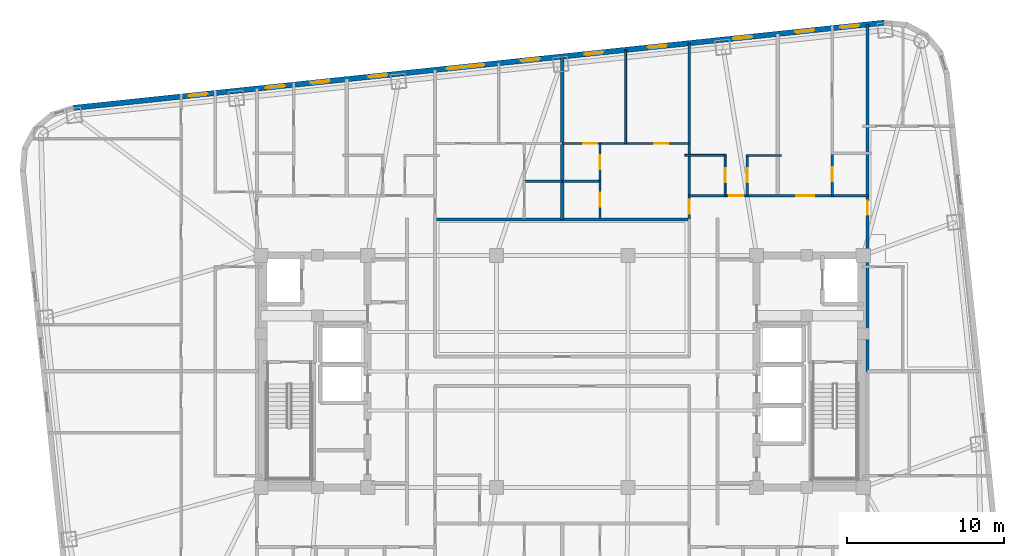
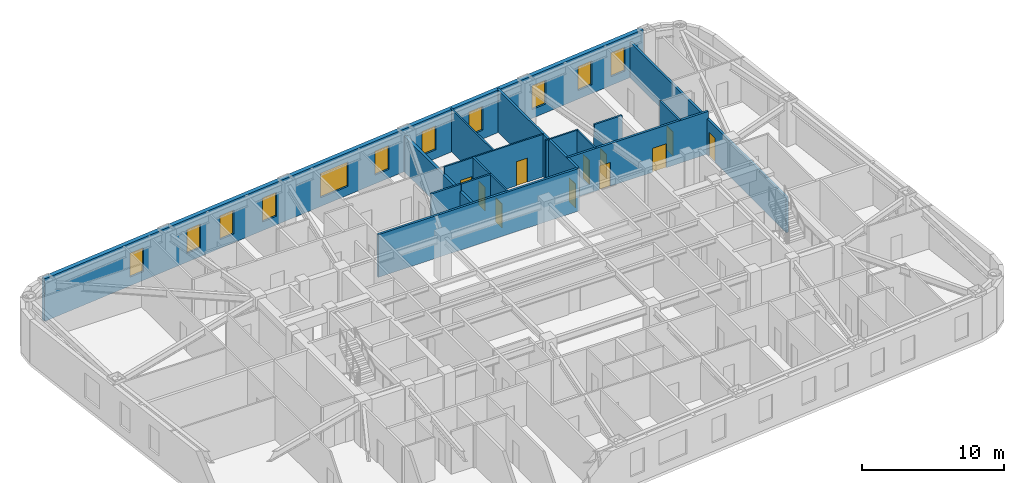
# One storey, part 8 of 11: 17 walls, 11 doors, 11 windows, 22 openings.
"""IFC4 building model written with IfcOpenShell, lengths in metres."""

from ifc_helpers import new_model, si_unit, direction, frame, frame_2d, origin, place, context, subcontext, project, spatial, rectangle, extrude, material, layer, layer_set, type_object, element, fill, save


model = new_model("IFC4")

# Units and contexts
model_context = context("Model", 3, precision=1e-05, world=origin(), true_north=direction((0.0, 1.0)))
body_context = subcontext(model_context, "Body", "Model", "MODEL_VIEW")
ifc_project = project(units=[si_unit("LENGTHUNIT", "METRE"), si_unit("AREAUNIT", "SQUARE_METRE"), si_unit("VOLUMEUNIT", "CUBIC_METRE"), si_unit("PLANEANGLEUNIT", "RADIAN"), si_unit("MASSUNIT", "GRAM", prefix="KILO")], contexts=[model_context])

# Site, building, storey
site_placement = place(None, origin())
site = spatial("IfcSite", under=ifc_project, at=site_placement, CompositionType="ELEMENT")
building_placement = place(site_placement, origin())
building = spatial("IfcBuilding", under=site, at=building_placement, Name="Voryun Gate Residences", CompositionType="ELEMENT")
storey_placement = place(building_placement, frame((0.0, 0.0, 183.300048828125)))
storey = spatial("IfcBuildingStorey", under=building, at=storey_placement, Name="L45", CompositionType="ELEMENT", Elevation=183.300048828125)

# Wall
ifc_material_1 = material(Name="Gypsum acoustic fireboard")
ifc_layer_1 = layer(ifc_material_1, 0.179931640625, Name="W_CORR_RATED_180")
ifc_layer_set_1 = layer_set([ifc_layer_1], Name="Gypsum acoustic fireboard")
wall_type_1 = type_object("IfcWallType", Name="W_CORR_RATED_180", PredefinedType="PARTITIONING", material=ifc_layer_set_1)
wall_1_placement = place(storey_placement, frame((-8.14990234375, 9.68994140625, 0.0), z_axis=(0.0, 0.0, 1.0), x_axis=(1.0, 0.0, 0.0)))
element("IfcWall", 1, at=wall_1_placement, inside=storey, type_object=wall_type_1, Name="Partition wall WP-L45-Z2N", PredefinedType="PARTITIONING", context=body_context, shape_type="SweptSolid", body=[
    extrude(rectangle(XDim=16.2998046875, YDim=0.179931640625, at=frame_2d((8.14990234375, 0.0))), origin(), (0.0, 0.0, 1.0), 3.64990234375),
])

# Wall, openings, doors
wall_2_placement = place(storey_placement, frame((8.080078125, 11.199951171875, 0.0), z_axis=(0.0, 0.0, 1.0), x_axis=(1.0, 0.0, 0.0)))
wall_2 = element("IfcWall", 2, at=wall_2_placement, inside=storey, type_object=wall_type_1, Name="Partition wall WP-L45-NCORR-E", PredefinedType="PARTITIONING", context=body_context, shape_type="SweptSolid", body=[
    extrude(rectangle(XDim=11.419921875, YDim=0.179931640625, at=frame_2d((5.7099609375, 0.0))), origin(), (0.0, 0.0, 1.0), 3.64990234375),
])
opening_1_placement = place(wall_2_placement, frame((2.5625, 0.0, 0.0)))
opening_1 = element("IfcOpeningElement", 3, at=opening_1_placement, cuts=wall_2, Name="Opening D-INT-2", PredefinedType="OPENING", context=body_context, shape_type="SweptSolid", body=[
    extrude(rectangle(XDim=0.89990234375, YDim=2.050048828125, at=frame_2d((0.449951171875, 1.02490234375))), frame((0.0, 0.099853515625, 0.0), z_axis=(0.0, -1.0, 0.0), x_axis=(1.0, 0.0, 0.0)), (0.0, 0.0, 1.0), 0.199951171875),
])
opening_2_placement = place(wall_2_placement, frame((6.8525390625, 0.0, 0.0)))
opening_2 = element("IfcOpeningElement", 4, at=opening_2_placement, cuts=wall_2, Name="Opening D-UNIT-1", PredefinedType="OPENING", context=body_context, shape_type="SweptSolid", body=[
    extrude(rectangle(XDim=1.14990234375, YDim=2.050048828125, at=frame_2d((0.574951171875, 1.02490234375))), frame((0.0, 0.099853515625, 0.0), z_axis=(0.0, -1.0, 0.0), x_axis=(1.0, 0.0, 0.0)), (0.0, 0.0, 1.0), 0.199951171875),
])
ifc_material_2 = material(Name="Architectural oak veneer")
door_type_1 = type_object("IfcDoorType", Name="DR_INT_BATH_900", OperationType="NOTDEFINED", PredefinedType="DOOR", material=ifc_material_2)
door_1_placement = place(opening_1_placement, origin())
door_1 = element("IfcDoor", 5, at=door_1_placement, inside=storey, type_object=door_type_1, Name="Door DR-L45-NENT-4", OperationType="SINGLE_SWING_RIGHT", OverallHeight=2.050048828125, OverallWidth=0.89990234375, PredefinedType="DOOR", context=body_context, shape_type="SweptSolid", body=[
    extrude(rectangle(XDim=0.89990234375, YDim=2.050048828125, at=frame_2d((0.449951171875, 1.02490234375))), frame((0.0, 0.02490234375, 0.0), z_axis=(0.0, -1.0, 0.0), x_axis=(1.0, 0.0, 0.0)), (0.0, 0.0, 1.0), 0.050048828125),
])
fill(opening_1, door_1)
ifc_material_3 = material(Name="Armoured timber-clad fire door", Category="wood")
door_type_2 = type_object("IfcDoorType", Name="DR_UNIT_ENTRY_1150", OperationType="NOTDEFINED", PredefinedType="DOOR", material=ifc_material_3)
door_2_placement = place(opening_2_placement, origin())
door_2 = element("IfcDoor", 6, at=door_2_placement, inside=storey, type_object=door_type_2, Name="Door DR-L45-NENT-5", OperationType="SINGLE_SWING_LEFT", OverallHeight=2.050048828125, OverallWidth=1.14990234375, PredefinedType="DOOR", context=body_context, shape_type="SweptSolid", body=[
    extrude(rectangle(XDim=1.14990234375, YDim=2.050048828125, at=frame_2d((0.574951171875, 1.02490234375))), frame((0.0, 0.02490234375, 0.0), z_axis=(0.0, -1.0, 0.0), x_axis=(1.0, 0.0, 0.0)), (0.0, 0.0, 1.0), 0.050048828125),
])
fill(opening_2, door_2)

# Wall, opening, door
wall_3_placement = place(storey_placement, frame((8.10009765625, 9.68994140625, 0.0), z_axis=(0.0, 0.0, 1.0), x_axis=(0.0, 1.0, 0.0)))
wall_3 = element("IfcWall", 7, at=wall_3_placement, inside=storey, type_object=wall_type_1, Name="Partition wall WP-L45-NZV-2", PredefinedType="PARTITIONING", context=body_context, shape_type="SweptSolid", body=[
    extrude(rectangle(XDim=11.2392578125, YDim=0.179931640625, at=frame_2d((5.61962890625, 0.0))), origin(), (0.0, 0.0, 1.0), 3.64990234375),
])
opening_3_placement = place(wall_3_placement, frame((0.35009765625, 0.0, 0.0)))
opening_3 = element("IfcOpeningElement", 8, at=opening_3_placement, cuts=wall_3, Name="Opening D-INT-2", PredefinedType="OPENING", context=body_context, shape_type="SweptSolid", body=[
    extrude(rectangle(XDim=0.89990234375, YDim=2.050048828125, at=frame_2d((0.449951171875, 1.02490234375))), frame((0.0, 0.099853515625, 0.0), z_axis=(0.0, -1.0, 0.0), x_axis=(1.0, 0.0, 0.0)), (0.0, 0.0, 1.0), 0.199951171875),
])
door_3_placement = place(opening_3_placement, origin())
door_3 = element("IfcDoor", 9, at=door_3_placement, inside=storey, type_object=door_type_1, Name="Door DR-L45-NZENT-2", OperationType="SINGLE_SWING_RIGHT", OverallHeight=2.050048828125, OverallWidth=0.89990234375, PredefinedType="DOOR", context=body_context, shape_type="SweptSolid", body=[
    extrude(rectangle(XDim=0.89990234375, YDim=2.050048828125, at=frame_2d((0.449951171875, 1.02490234375))), frame((0.0, 0.02490234375, 0.0), z_axis=(0.0, -1.0, 0.0), x_axis=(1.0, 0.0, 0.0)), (0.0, 0.0, 1.0), 0.050048828125),
])
fill(opening_3, door_3)

wall_4_placement = place(storey_placement, frame((19.469970703125, 0.0, 0.0), z_axis=(0.0, 0.0, 1.0), x_axis=(0.0, 1.0, 0.0)))
wall_4 = element("IfcWall", 10, at=wall_4_placement, inside=storey, type_object=wall_type_1, Name="Partition wall WP-L45-ECOR2", PredefinedType="PARTITIONING", context=body_context, shape_type="SweptSolid", body=[
    extrude(rectangle(XDim=22.1240234375, YDim=0.179931640625, at=frame_2d((11.06201171875, 0.0))), origin(), (0.0, 0.0, 1.0), 3.0400390625),
])
opening_4_placement = place(wall_4_placement, frame((9.979248046875, 0.0, 0.0)))
opening_4 = element("IfcOpeningElement", 11, at=opening_4_placement, cuts=wall_4, Name="Opening D-INT-2", PredefinedType="OPENING", context=body_context, shape_type="SweptSolid", body=[
    extrude(rectangle(XDim=0.89990234375, YDim=2.050048828125, at=frame_2d((0.449951171875, 1.02490234375))), frame((0.0, 0.099853515625, 0.0), z_axis=(0.0, -1.0, 0.0), x_axis=(1.0, 0.0, 0.0)), (0.0, 0.0, 1.0), 0.199951171875),
])
door_4_placement = place(opening_4_placement, origin())
door_4 = element("IfcDoor", 12, at=door_4_placement, inside=storey, type_object=door_type_1, Name="Door DR-L45-EE2", OperationType="SINGLE_SWING_RIGHT", OverallHeight=2.050048828125, OverallWidth=0.89990234375, PredefinedType="DOOR", context=body_context, shape_type="SweptSolid", body=[
    extrude(rectangle(XDim=0.89990234375, YDim=2.050048828125, at=frame_2d((0.449951171875, 1.02490234375))), frame((0.0, 0.02490234375, 0.0), z_axis=(0.0, -1.0, 0.0), x_axis=(1.0, 0.0, 0.0)), (0.0, 0.0, 1.0), 0.050048828125),
])
fill(opening_4, door_4)

# Wall, openings, windows
ifc_material_4 = material(Name="Charcoal terracotta masonry", Category="masonry")
ifc_layer_2 = layer(ifc_material_4, 0.340087890625, Name="W_EXT_TERRACOTTA_340")
ifc_layer_set_2 = layer_set([ifc_layer_2], Name="Charcoal terracotta masonry")
wall_type_2 = type_object("IfcWallType", Name="W_EXT_TERRACOTTA_340", PredefinedType="ELEMENTEDWALL", material=ifc_layer_set_2)
wall_5_placement = place(storey_placement, frame((-31.155517578125, 16.80322265625, 0.0), z_axis=(0.0, 0.0, 1.0), x_axis=(0.99452209583, 0.104526555986, 0.0)))
wall_5 = element("IfcWall", 13, at=wall_5_placement, inside=storey, type_object=wall_type_2, Name="Exterior wall WEXT-L45-11", PredefinedType="ELEMENTEDWALL", context=body_context, shape_type="SweptSolid", body=[
    extrude(rectangle(XDim=51.966552734375, YDim=0.340087890625, at=frame_2d((25.9833984375, 0.0))), origin(), (0.0, 0.0, 1.0), 3.64990234375),
])
opening_5_placement = place(wall_5_placement, frame((23.93310546875, 0.0, 0.75)))
opening_5 = element("IfcOpeningElement", 14, at=opening_5_placement, cuts=wall_5, Name="Opening WN2", PredefinedType="OPENING", context=body_context, shape_type="SweptSolid", body=[
    extrude(rectangle(XDim=2.39990234375, YDim=2.10009765625, at=frame_2d((1.199951171875, 1.050048828125))), frame((0.0, 0.179931640625, 0.0), z_axis=(0.0, -1.0, 0.0), x_axis=(1.0, 0.0, 0.0)), (0.0, 0.0, 1.0), 0.360107421875),
])
opening_6_placement = place(wall_5_placement, frame((15.209228515625, 0.0, 0.75)))
opening_6 = element("IfcOpeningElement", 15, at=opening_6_placement, cuts=wall_5, Name="Opening WN6", PredefinedType="OPENING", context=body_context, shape_type="SweptSolid", body=[
    extrude(rectangle(XDim=1.199951171875, YDim=2.050048828125, at=frame_2d((0.60009765625, 1.02490234375))), frame((0.0, 0.179931640625, 0.0), z_axis=(0.0, -1.0, 0.0), x_axis=(1.0, 0.0, 0.0)), (0.0, 0.0, 1.0), 0.360107421875),
])
opening_7_placement = place(wall_5_placement, frame((12.33349609375, 0.0, 0.75)))
opening_7 = element("IfcOpeningElement", 16, at=opening_7_placement, cuts=wall_5, Name="Opening WN6", PredefinedType="OPENING", context=body_context, shape_type="SweptSolid", body=[
    extrude(rectangle(XDim=1.199951171875, YDim=2.050048828125, at=frame_2d((0.60009765625, 1.02490234375))), frame((0.0, 0.179931640625, 0.0), z_axis=(0.0, -1.0, 0.0), x_axis=(1.0, 0.0, 0.0)), (0.0, 0.0, 1.0), 0.360107421875),
])
opening_8_placement = place(wall_5_placement, frame((18.914794921875, 0.0, 0.75)))
opening_8 = element("IfcOpeningElement", 17, at=opening_8_placement, cuts=wall_5, Name="Opening WN6", PredefinedType="OPENING", context=body_context, shape_type="SweptSolid", body=[
    extrude(rectangle(XDim=1.199951171875, YDim=2.050048828125, at=frame_2d((0.60009765625, 1.02490234375))), frame((0.0, 0.179931640625, 0.0), z_axis=(0.0, -1.0, 0.0), x_axis=(1.0, 0.0, 0.0)), (0.0, 0.0, 1.0), 0.360107421875),
])
opening_9_placement = place(wall_5_placement, frame((42.294921875, 0.0, 0.75)))
opening_9 = element("IfcOpeningElement", 18, at=opening_9_placement, cuts=wall_5, Name="Opening WN6", PredefinedType="OPENING", context=body_context, shape_type="SweptSolid", body=[
    extrude(rectangle(XDim=1.199951171875, YDim=2.050048828125, at=frame_2d((0.60009765625, 1.02490234375))), frame((0.0, 0.179931640625, 0.0), z_axis=(0.0, -1.0, 0.0), x_axis=(1.0, 0.0, 0.0)), (0.0, 0.0, 1.0), 0.360107421875),
])
opening_10_placement = place(wall_5_placement, frame((46.2880859375, 0.0, 0.75)))
opening_10 = element("IfcOpeningElement", 19, at=opening_10_placement, cuts=wall_5, Name="Opening WN6", PredefinedType="OPENING", context=body_context, shape_type="SweptSolid", body=[
    extrude(rectangle(XDim=1.199951171875, YDim=2.050048828125, at=frame_2d((0.60009765625, 1.02490234375))), frame((0.0, 0.179931640625, 0.0), z_axis=(0.0, -1.0, 0.0), x_axis=(1.0, 0.0, 0.0)), (0.0, 0.0, 1.0), 0.360107421875),
])
opening_11_placement = place(wall_5_placement, frame((49.163818359375, 0.0, 0.75)))
opening_11 = element("IfcOpeningElement", 20, at=opening_11_placement, cuts=wall_5, Name="Opening WN6", PredefinedType="OPENING", context=body_context, shape_type="SweptSolid", body=[
    extrude(rectangle(XDim=1.199951171875, YDim=2.050048828125, at=frame_2d((0.60009765625, 1.02490234375))), frame((0.0, 0.179931640625, 0.0), z_axis=(0.0, -1.0, 0.0), x_axis=(1.0, 0.0, 0.0)), (0.0, 0.0, 1.0), 0.360107421875),
])
opening_12_placement = place(wall_5_placement, frame((28.68359375, 0.0, 0.75)))
opening_12 = element("IfcOpeningElement", 21, at=opening_12_placement, cuts=wall_5, Name="Opening WN6", PredefinedType="OPENING", context=body_context, shape_type="SweptSolid", body=[
    extrude(rectangle(XDim=1.199951171875, YDim=2.050048828125, at=frame_2d((0.60009765625, 1.02490234375))), frame((0.0, 0.179931640625, 0.0), z_axis=(0.0, -1.0, 0.0), x_axis=(1.0, 0.0, 0.0)), (0.0, 0.0, 1.0), 0.360107421875),
])
opening_13_placement = place(wall_5_placement, frame((32.76611328125, 0.0, 0.75)))
opening_13 = element("IfcOpeningElement", 22, at=opening_13_placement, cuts=wall_5, Name="Opening WN6", PredefinedType="OPENING", context=body_context, shape_type="SweptSolid", body=[
    extrude(rectangle(XDim=1.199951171875, YDim=2.050048828125, at=frame_2d((0.60009765625, 1.02490234375))), frame((0.0, 0.179931640625, 0.0), z_axis=(0.0, -1.0, 0.0), x_axis=(1.0, 0.0, 0.0)), (0.0, 0.0, 1.0), 0.360107421875),
])
opening_14_placement = place(wall_5_placement, frame((36.828369140625, 0.0, 0.75)))
opening_14 = element("IfcOpeningElement", 23, at=opening_14_placement, cuts=wall_5, Name="Opening WN6", PredefinedType="OPENING", context=body_context, shape_type="SweptSolid", body=[
    extrude(rectangle(XDim=1.199951171875, YDim=2.050048828125, at=frame_2d((0.60009765625, 1.02490234375))), frame((0.0, 0.179931640625, 0.0), z_axis=(0.0, -1.0, 0.0), x_axis=(1.0, 0.0, 0.0)), (0.0, 0.0, 1.0), 0.360107421875),
])
opening_15_placement = place(wall_5_placement, frame((7.386962890625, 0.0, 0.75)))
opening_15 = element("IfcOpeningElement", 24, at=opening_15_placement, cuts=wall_5, Name="Opening WN6", PredefinedType="OPENING", context=body_context, shape_type="SweptSolid", body=[
    extrude(rectangle(XDim=1.199951171875, YDim=2.050048828125, at=frame_2d((0.60009765625, 1.02490234375))), frame((0.0, 0.179931640625, 0.0), z_axis=(0.0, -1.0, 0.0), x_axis=(1.0, 0.0, 0.0)), (0.0, 0.0, 1.0), 0.360107421875),
])
ifc_material_5 = material(Name="Laminated low-E glass", Category="glass")
window_type_1 = type_object("IfcWindowType", Name="WN_POD_SLOT_1200", PartitioningType="SINGLE_PANEL", PredefinedType="WINDOW", material=ifc_material_5)
window_1_placement = place(opening_6_placement, origin())
window_1 = element("IfcWindow", 25, at=window_1_placement, inside=storey, type_object=window_type_1, Name="Window WN-L45-DWFIX-01", OverallHeight=2.050048828125, OverallWidth=1.199951171875, PartitioningType="SINGLE_PANEL", PredefinedType="WINDOW", context=body_context, shape_type="SweptSolid", body=[
    extrude(rectangle(XDim=1.199951171875, YDim=2.050048828125, at=frame_2d((0.60009765625, 1.02490234375))), frame((0.0, 0.030029296875, 0.0), z_axis=(0.0, -1.0, 0.0), x_axis=(1.0, 0.0, 0.0)), (0.0, 0.0, 1.0), 0.06005859375),
])
fill(opening_6, window_1)
window_2_placement = place(opening_7_placement, origin())
window_2 = element("IfcWindow", 26, at=window_2_placement, inside=storey, type_object=window_type_1, Name="Window WN-L45-DWFIX-02", OverallHeight=2.050048828125, OverallWidth=1.199951171875, PartitioningType="SINGLE_PANEL", PredefinedType="WINDOW", context=body_context, shape_type="SweptSolid", body=[
    extrude(rectangle(XDim=1.199951171875, YDim=2.050048828125, at=frame_2d((0.60009765625, 1.02490234375))), frame((0.0, 0.030029296875, 0.0), z_axis=(0.0, -1.0, 0.0), x_axis=(1.0, 0.0, 0.0)), (0.0, 0.0, 1.0), 0.06005859375),
])
fill(opening_7, window_2)
window_3_placement = place(opening_8_placement, origin())
window_3 = element("IfcWindow", 27, at=window_3_placement, inside=storey, type_object=window_type_1, Name="Window WN-L45-DWFIX-03", OverallHeight=2.050048828125, OverallWidth=1.199951171875, PartitioningType="SINGLE_PANEL", PredefinedType="WINDOW", context=body_context, shape_type="SweptSolid", body=[
    extrude(rectangle(XDim=1.199951171875, YDim=2.050048828125, at=frame_2d((0.60009765625, 1.02490234375))), frame((0.0, 0.030029296875, 0.0), z_axis=(0.0, -1.0, 0.0), x_axis=(1.0, 0.0, 0.0)), (0.0, 0.0, 1.0), 0.06005859375),
])
fill(opening_8, window_3)
window_4_placement = place(opening_9_placement, origin())
window_4 = element("IfcWindow", 28, at=window_4_placement, inside=storey, type_object=window_type_1, Name="Window WN-L45-DWFIX-04", OverallHeight=2.050048828125, OverallWidth=1.199951171875, PartitioningType="SINGLE_PANEL", PredefinedType="WINDOW", context=body_context, shape_type="SweptSolid", body=[
    extrude(rectangle(XDim=1.199951171875, YDim=2.050048828125, at=frame_2d((0.60009765625, 1.02490234375))), frame((0.0, 0.030029296875, 0.0), z_axis=(0.0, -1.0, 0.0), x_axis=(1.0, 0.0, 0.0)), (0.0, 0.0, 1.0), 0.06005859375),
])
fill(opening_9, window_4)
window_5_placement = place(opening_10_placement, origin())
window_5 = element("IfcWindow", 29, at=window_5_placement, inside=storey, type_object=window_type_1, Name="Window WN-L45-DWFIX-05", OverallHeight=2.050048828125, OverallWidth=1.199951171875, PartitioningType="SINGLE_PANEL", PredefinedType="WINDOW", context=body_context, shape_type="SweptSolid", body=[
    extrude(rectangle(XDim=1.199951171875, YDim=2.050048828125, at=frame_2d((0.60009765625, 1.02490234375))), frame((0.0, 0.030029296875, 0.0), z_axis=(0.0, -1.0, 0.0), x_axis=(1.0, 0.0, 0.0)), (0.0, 0.0, 1.0), 0.06005859375),
])
fill(opening_10, window_5)
window_6_placement = place(opening_11_placement, origin())
window_6 = element("IfcWindow", 30, at=window_6_placement, inside=storey, type_object=window_type_1, Name="Window WN-L45-DWFIX-06", OverallHeight=2.050048828125, OverallWidth=1.199951171875, PartitioningType="SINGLE_PANEL", PredefinedType="WINDOW", context=body_context, shape_type="SweptSolid", body=[
    extrude(rectangle(XDim=1.199951171875, YDim=2.050048828125, at=frame_2d((0.60009765625, 1.02490234375))), frame((0.0, 0.030029296875, 0.0), z_axis=(0.0, -1.0, 0.0), x_axis=(1.0, 0.0, 0.0)), (0.0, 0.0, 1.0), 0.06005859375),
])
fill(opening_11, window_6)
window_7_placement = place(opening_12_placement, origin())
window_7 = element("IfcWindow", 31, at=window_7_placement, inside=storey, type_object=window_type_1, Name="Window WN-L45-DWFIX-07", OverallHeight=2.050048828125, OverallWidth=1.199951171875, PartitioningType="SINGLE_PANEL", PredefinedType="WINDOW", context=body_context, shape_type="SweptSolid", body=[
    extrude(rectangle(XDim=1.199951171875, YDim=2.050048828125, at=frame_2d((0.60009765625, 1.02490234375))), frame((0.0, 0.030029296875, 0.0), z_axis=(0.0, -1.0, 0.0), x_axis=(1.0, 0.0, 0.0)), (0.0, 0.0, 1.0), 0.06005859375),
])
fill(opening_12, window_7)
window_8_placement = place(opening_13_placement, origin())
window_8 = element("IfcWindow", 32, at=window_8_placement, inside=storey, type_object=window_type_1, Name="Window WN-L45-DWFIX-08", OverallHeight=2.050048828125, OverallWidth=1.199951171875, PartitioningType="SINGLE_PANEL", PredefinedType="WINDOW", context=body_context, shape_type="SweptSolid", body=[
    extrude(rectangle(XDim=1.199951171875, YDim=2.050048828125, at=frame_2d((0.60009765625, 1.02490234375))), frame((0.0, 0.030029296875, 0.0), z_axis=(0.0, -1.0, 0.0), x_axis=(1.0, 0.0, 0.0)), (0.0, 0.0, 1.0), 0.06005859375),
])
fill(opening_13, window_8)
window_9_placement = place(opening_14_placement, origin())
window_9 = element("IfcWindow", 33, at=window_9_placement, inside=storey, type_object=window_type_1, Name="Window WN-L45-DWFIX-09", OverallHeight=2.050048828125, OverallWidth=1.199951171875, PartitioningType="SINGLE_PANEL", PredefinedType="WINDOW", context=body_context, shape_type="SweptSolid", body=[
    extrude(rectangle(XDim=1.199951171875, YDim=2.050048828125, at=frame_2d((0.60009765625, 1.02490234375))), frame((0.0, 0.030029296875, 0.0), z_axis=(0.0, -1.0, 0.0), x_axis=(1.0, 0.0, 0.0)), (0.0, 0.0, 1.0), 0.06005859375),
])
fill(opening_14, window_9)
window_10_placement = place(opening_15_placement, origin())
window_10 = element("IfcWindow", 34, at=window_10_placement, inside=storey, type_object=window_type_1, Name="Window WN-L45-DWFIX-23", OverallHeight=2.050048828125, OverallWidth=1.199951171875, PartitioningType="SINGLE_PANEL", PredefinedType="WINDOW", context=body_context, shape_type="SweptSolid", body=[
    extrude(rectangle(XDim=1.199951171875, YDim=2.050048828125, at=frame_2d((0.60009765625, 1.02490234375))), frame((0.0, 0.030029296875, 0.0), z_axis=(0.0, -1.0, 0.0), x_axis=(1.0, 0.0, 0.0)), (0.0, 0.0, 1.0), 0.06005859375),
])
fill(opening_15, window_10)
ifc_material_6 = material(Name="Laminated low-E glass", Category="glass")
window_type_2 = type_object("IfcWindowType", Name="WN_RES_WIDE_2400", PartitioningType="SINGLE_PANEL", PredefinedType="WINDOW", material=ifc_material_6)
window_11_placement = place(opening_5_placement, origin())
window_11 = element("IfcWindow", 35, at=window_11_placement, inside=storey, type_object=window_type_2, Name="Window WN-WEXT-L45-11-02", OverallHeight=2.10009765625, OverallWidth=2.39990234375, PartitioningType="SINGLE_PANEL", PredefinedType="WINDOW", context=body_context, shape_type="SweptSolid", body=[
    extrude(rectangle(XDim=2.39990234375, YDim=2.10009765625, at=frame_2d((1.199951171875, 1.050048828125))), frame((0.0, 0.030029296875, 0.0), z_axis=(0.0, -1.0, 0.0), x_axis=(1.0, 0.0, 0.0)), (0.0, 0.0, 1.0), 0.06005859375),
])
fill(opening_5, window_11)

# Wall
ifc_material_7 = material(Name="Concrete C40/50", Category="concrete")
ifc_layer_3 = layer(ifc_material_7, 0.219970703125, Name="W_PARTY_ACOUSTIC_220")
ifc_layer_set_3 = layer_set([ifc_layer_3], Name="Concrete C40/50")
wall_type_3 = type_object("IfcWallType", Name="W_PARTY_ACOUSTIC_220", PredefinedType="PARTITIONING", material=ifc_layer_set_3)
wall_6_placement = place(storey_placement, frame((0.0, 9.68994140625, 0.0), z_axis=(0.0, 0.0, 1.0), x_axis=(0.0, 1.0, 0.0)))
element("IfcWall", 36, at=wall_6_placement, inside=storey, type_object=wall_type_3, Name="Partition wall WP-L45-NZMID", PredefinedType="PARTITIONING", context=body_context, shape_type="SweptSolid", body=[
    extrude(rectangle(XDim=10.387939453125, YDim=0.219970703125, at=frame_2d((5.19384765625, 0.0))), origin(), (0.0, 0.0, 1.0), 3.0400390625),
])

# Wall, opening, door
ifc_material_8 = material(Name="Gypsum acoustic partition")
ifc_layer_4 = layer(ifc_material_8, 0.125, Name="W_UNIT_PART_125")
ifc_layer_set_4 = layer_set([ifc_layer_4], Name="Gypsum acoustic partition")
wall_type_4 = type_object("IfcWallType", Name="W_UNIT_PART_125", PredefinedType="PARTITIONING", material=ifc_layer_set_4)
wall_7_placement = place(storey_placement, frame((10.389892578125, 11.179931640625, 0.0), z_axis=(0.0, 0.0, 1.0), x_axis=(0.0, 1.0, 0.0)))
wall_7 = element("IfcWall", 37, at=wall_7_placement, inside=storey, type_object=wall_type_4, Name="Partition wall WP-L45-N4-CVK", PredefinedType="PARTITIONING", context=body_context, shape_type="SweptSolid", body=[
    extrude(rectangle(XDim=2.650146484375, YDim=0.125, at=frame_2d((1.3251953125, 0.0))), origin(), (0.0, 0.0, 1.0), 3.64990234375),
])
opening_16_placement = place(wall_7_placement, frame((0.875, 0.0, 0.0)))
opening_16 = element("IfcOpeningElement", 38, at=opening_16_placement, cuts=wall_7, Name="Opening D-INT-2", PredefinedType="OPENING", context=body_context, shape_type="SweptSolid", body=[
    extrude(rectangle(XDim=0.89990234375, YDim=2.050048828125, at=frame_2d((0.449951171875, 1.02490234375))), frame((0.0, 0.072509765625, 0.0), z_axis=(0.0, -1.0, 0.0), x_axis=(1.0, 0.0, 0.0)), (0.0, 0.0, 1.0), 0.14501953125),
])
door_5_placement = place(opening_16_placement, origin())
door_5 = element("IfcDoor", 39, at=door_5_placement, inside=storey, type_object=door_type_1, Name="Door DR-L45-N4-DK", OperationType="SINGLE_SWING_LEFT", OverallHeight=2.050048828125, OverallWidth=0.89990234375, PredefinedType="DOOR", context=body_context, shape_type="SweptSolid", body=[
    extrude(rectangle(XDim=0.89990234375, YDim=2.050048828125, at=frame_2d((0.449951171875, 1.02490234375))), frame((0.0, 0.02490234375, 0.0), z_axis=(0.0, -1.0, 0.0), x_axis=(1.0, 0.0, 0.0)), (0.0, 0.0, 1.0), 0.050048828125),
])
fill(opening_16, door_5)

# Wall
wall_8_placement = place(storey_placement, frame((7.820068359375, 13.77001953125, 0.0), z_axis=(0.0, 0.0, 1.0), x_axis=(1.0, 0.0, 0.0)))
element("IfcWall", 40, at=wall_8_placement, inside=storey, type_object=wall_type_4, Name="Partition wall WP-L45-N4-CHK", PredefinedType="PARTITIONING", context=body_context, shape_type="SweptSolid", body=[
    extrude(rectangle(XDim=2.6298828125, YDim=0.125, at=frame_2d((1.31494140625, 0.0))), origin(), (0.0, 0.0, 1.0), 3.64990234375),
])

# Wall, openings, doors
wall_9_placement = place(storey_placement, frame((0.02001953125, 14.530029296875, 0.0), z_axis=(0.0, 0.0, 1.0), x_axis=(1.0, 0.0, 0.0)))
wall_9 = element("IfcWall", 41, at=wall_9_placement, inside=storey, type_object=wall_type_4, Name="Partition wall WP-L45-NC2-HZ", PredefinedType="PARTITIONING", context=body_context, shape_type="SweptSolid", body=[
    extrude(rectangle(XDim=8.06005859375, YDim=0.125, at=frame_2d((4.030029296875, 0.0))), origin(), (0.0, 0.0, 1.0), 3.64990234375),
])
opening_17_placement = place(wall_9_placement, frame((1.3232421875, 0.0, 0.0)))
opening_17 = element("IfcOpeningElement", 42, at=opening_17_placement, cuts=wall_9, Name="Opening D-INT-2", PredefinedType="OPENING", context=body_context, shape_type="SweptSolid", body=[
    extrude(rectangle(XDim=0.89990234375, YDim=2.050048828125, at=frame_2d((0.449951171875, 1.02490234375))), frame((0.0, 0.072509765625, 0.0), z_axis=(0.0, -1.0, 0.0), x_axis=(1.0, 0.0, 0.0)), (0.0, 0.0, 1.0), 0.14501953125),
])
opening_18_placement = place(wall_9_placement, frame((5.8369140625, 0.0, 0.0)))
opening_18 = element("IfcOpeningElement", 43, at=opening_18_placement, cuts=wall_9, Name="Opening D-INT-2", PredefinedType="OPENING", context=body_context, shape_type="SweptSolid", body=[
    extrude(rectangle(XDim=0.89990234375, YDim=2.050048828125, at=frame_2d((0.449951171875, 1.02490234375))), frame((0.0, 0.072509765625, 0.0), z_axis=(0.0, -1.0, 0.0), x_axis=(1.0, 0.0, 0.0)), (0.0, 0.0, 1.0), 0.14501953125),
])
door_6_placement = place(opening_17_placement, origin())
door_6 = element("IfcDoor", 44, at=door_6_placement, inside=storey, type_object=door_type_1, Name="Door DR-L45-NC2-DMB", OperationType="SINGLE_SWING_LEFT", OverallHeight=2.050048828125, OverallWidth=0.89990234375, PredefinedType="DOOR", context=body_context, shape_type="SweptSolid", body=[
    extrude(rectangle(XDim=0.89990234375, YDim=2.050048828125, at=frame_2d((0.449951171875, 1.02490234375))), frame((0.0, 0.02490234375, 0.0), z_axis=(0.0, -1.0, 0.0), x_axis=(1.0, 0.0, 0.0)), (0.0, 0.0, 1.0), 0.050048828125),
])
fill(opening_17, door_6)
door_7_placement = place(opening_18_placement, origin())
door_7 = element("IfcDoor", 45, at=door_7_placement, inside=storey, type_object=door_type_1, Name="Door DR-L45-NC2-DBD2", OperationType="SINGLE_SWING_RIGHT", OverallHeight=2.050048828125, OverallWidth=0.89990234375, PredefinedType="DOOR", context=body_context, shape_type="SweptSolid", body=[
    extrude(rectangle(XDim=0.89990234375, YDim=2.050048828125, at=frame_2d((0.449951171875, 1.02490234375))), frame((0.0, 0.02490234375, 0.0), z_axis=(0.0, -1.0, 0.0), x_axis=(1.0, 0.0, 0.0)), (0.0, 0.0, 1.0), 0.050048828125),
])
fill(opening_18, door_7)

# Wall, opening, door
wall_10_placement = place(storey_placement, frame((2.409912109375, 9.75, 0.0), z_axis=(0.0, 0.0, 1.0), x_axis=(0.0, 1.0, 0.0)))
wall_10 = element("IfcWall", 46, at=wall_10_placement, inside=storey, type_object=wall_type_4, Name="Partition wall WP-L45-NC2-VK1", PredefinedType="PARTITIONING", context=body_context, shape_type="SweptSolid", body=[
    extrude(rectangle(XDim=2.409912109375, YDim=0.125, at=frame_2d((1.205078125, 0.0))), origin(), (0.0, 0.0, 1.0), 3.64990234375),
])
opening_19_placement = place(wall_10_placement, frame((0.7548828125, 0.0, 0.0)))
opening_19 = element("IfcOpeningElement", 47, at=opening_19_placement, cuts=wall_10, Name="Opening D-INT-2", PredefinedType="OPENING", context=body_context, shape_type="SweptSolid", body=[
    extrude(rectangle(XDim=0.89990234375, YDim=2.050048828125, at=frame_2d((0.449951171875, 1.02490234375))), frame((0.0, 0.072509765625, 0.0), z_axis=(0.0, -1.0, 0.0), x_axis=(1.0, 0.0, 0.0)), (0.0, 0.0, 1.0), 0.14501953125),
])
door_8_placement = place(opening_19_placement, origin())
door_8 = element("IfcDoor", 48, at=door_8_placement, inside=storey, type_object=door_type_1, Name="Door DR-L45-NC2-DK", OperationType="SINGLE_SWING_LEFT", OverallHeight=2.050048828125, OverallWidth=0.89990234375, PredefinedType="DOOR", context=body_context, shape_type="SweptSolid", body=[
    extrude(rectangle(XDim=0.89990234375, YDim=2.050048828125, at=frame_2d((0.449951171875, 1.02490234375))), frame((0.0, 0.02490234375, 0.0), z_axis=(0.0, -1.0, 0.0), x_axis=(1.0, 0.0, 0.0)), (0.0, 0.0, 1.0), 0.050048828125),
])
fill(opening_19, door_8)

# Wall
wall_11_placement = place(storey_placement, frame((4.050048828125, 14.489990234375, 0.0), z_axis=(0.0, 0.0, 1.0), x_axis=(0.0, 1.0, 0.0)))
element("IfcWall", 49, at=wall_11_placement, inside=storey, type_object=wall_type_4, Name="Partition wall WP-L45-NC2-VBD", PredefinedType="PARTITIONING", context=body_context, shape_type="SweptSolid", body=[
    extrude(rectangle(XDim=6.013427734375, YDim=0.125, at=frame_2d((3.0068359375, 0.0))), origin(), (0.0, 0.0, 1.0), 3.64990234375),
])

# Wall, opening, door
ifc_material_9 = material(Name="Gypsum moisture-resistant partition")
ifc_layer_5 = layer(ifc_material_9, 0.14990234375, Name="W_WET_PLUMB_150")
ifc_layer_set_5 = layer_set([ifc_layer_5], Name="Gypsum moisture-resistant partition")
wall_type_5 = type_object("IfcWallType", Name="W_WET_PLUMB_150", PredefinedType="PLUMBINGWALL", material=ifc_layer_set_5)
wall_12_placement = place(storey_placement, frame((11.7958984375, 11.179931640625, 0.0), z_axis=(0.0, 0.0, 1.0), x_axis=(0.0, 1.0, 0.0)))
wall_12 = element("IfcWall", 50, at=wall_12_placement, inside=storey, type_object=wall_type_5, Name="Partition wall WP-L45-N4-CVB", PredefinedType="PLUMBINGWALL", context=body_context, shape_type="SweptSolid", body=[
    extrude(rectangle(XDim=2.650146484375, YDim=0.14990234375, at=frame_2d((1.3251953125, 0.0))), origin(), (0.0, 0.0, 1.0), 3.0400390625),
])
opening_20_placement = place(wall_12_placement, frame((0.875, 0.0, 0.0)))
opening_20 = element("IfcOpeningElement", 51, at=opening_20_placement, cuts=wall_12, Name="Opening D-INT-2", PredefinedType="OPENING", context=body_context, shape_type="SweptSolid", body=[
    extrude(rectangle(XDim=0.89990234375, YDim=2.050048828125, at=frame_2d((0.449951171875, 1.02490234375))), frame((0.0, 0.0849609375, 0.0), z_axis=(0.0, -1.0, 0.0), x_axis=(1.0, 0.0, 0.0)), (0.0, 0.0, 1.0), 0.169921875),
])
door_9_placement = place(opening_20_placement, origin())
door_9 = element("IfcDoor", 52, at=door_9_placement, inside=storey, type_object=door_type_1, Name="Door DR-L45-N4-DB", OperationType="SINGLE_SWING_RIGHT", OverallHeight=2.050048828125, OverallWidth=0.89990234375, PredefinedType="DOOR", context=body_context, shape_type="SweptSolid", body=[
    extrude(rectangle(XDim=0.89990234375, YDim=2.050048828125, at=frame_2d((0.449951171875, 1.02490234375))), frame((0.0, 0.02490234375, 0.0), z_axis=(0.0, -1.0, 0.0), x_axis=(1.0, 0.0, 0.0)), (0.0, 0.0, 1.0), 0.050048828125),
])
fill(opening_20, door_9)

# Wall
wall_13_placement = place(storey_placement, frame((11.736083984375, 13.77001953125, 0.0), z_axis=(0.0, 0.0, 1.0), x_axis=(1.0, 0.0, 0.0)))
element("IfcWall", 53, at=wall_13_placement, inside=storey, type_object=wall_type_5, Name="Partition wall WP-L45-N4-CHB", PredefinedType="PLUMBINGWALL", context=body_context, shape_type="SweptSolid", body=[
    extrude(rectangle(XDim=2.263916015625, YDim=0.14990234375, at=frame_2d((1.1318359375, 0.0))), origin(), (0.0, 0.0, 1.0), 3.64990234375),
])

# Wall, opening, door
wall_14_placement = place(storey_placement, frame((17.216064453125, 11.179931640625, 0.0), z_axis=(0.0, 0.0, 1.0), x_axis=(0.0, 1.0, 0.0)))
wall_14 = element("IfcWall", 54, at=wall_14_placement, inside=storey, type_object=wall_type_5, Name="Partition wall WP-L45-N5-SVT1", PredefinedType="PLUMBINGWALL", context=body_context, shape_type="SweptSolid", body=[
    extrude(rectangle(XDim=2.760009765625, YDim=0.14990234375, at=frame_2d((1.3798828125, 0.0))), origin(), (0.0, 0.0, 1.0), 3.64990234375),
])
opening_21_placement = place(wall_14_placement, frame((0.929931640625, 0.0, 0.0)))
opening_21 = element("IfcOpeningElement", 55, at=opening_21_placement, cuts=wall_14, Name="Opening D-INT-2", PredefinedType="OPENING", context=body_context, shape_type="SweptSolid", body=[
    extrude(rectangle(XDim=0.89990234375, YDim=2.050048828125, at=frame_2d((0.449951171875, 1.02490234375))), frame((0.0, 0.0849609375, 0.0), z_axis=(0.0, -1.0, 0.0), x_axis=(1.0, 0.0, 0.0)), (0.0, 0.0, 1.0), 0.169921875),
])
door_10_placement = place(opening_21_placement, origin())
door_10 = element("IfcDoor", 56, at=door_10_placement, inside=storey, type_object=door_type_1, Name="Door DR-L45-N5-DB", OperationType="SINGLE_SWING_LEFT", OverallHeight=2.050048828125, OverallWidth=0.89990234375, PredefinedType="DOOR", context=body_context, shape_type="SweptSolid", body=[
    extrude(rectangle(XDim=0.89990234375, YDim=2.050048828125, at=frame_2d((0.449951171875, 1.02490234375))), frame((0.0, 0.02490234375, 0.0), z_axis=(0.0, -1.0, 0.0), x_axis=(1.0, 0.0, 0.0)), (0.0, 0.0, 1.0), 0.050048828125),
])
fill(opening_21, door_10)

# Wall
wall_15_placement = place(storey_placement, frame((-2.449951171875, 12.1298828125, 0.0), z_axis=(0.0, 0.0, 1.0), x_axis=(1.0, 0.0, 0.0)))
element("IfcWall", 57, at=wall_15_placement, inside=storey, type_object=wall_type_5, Name="Partition wall WP-L45-NC1-HKB", PredefinedType="PLUMBINGWALL", context=body_context, shape_type="SweptSolid", body=[
    extrude(rectangle(XDim=2.429931640625, YDim=0.14990234375, at=frame_2d((1.21484375, 0.0))), origin(), (0.0, 0.0, 1.0), 3.64990234375),
])

# Wall, opening, door
wall_16_placement = place(storey_placement, frame((2.409912109375, 12.10009765625, 0.0), z_axis=(0.0, 0.0, 1.0), x_axis=(0.0, 1.0, 0.0)))
wall_16 = element("IfcWall", 58, at=wall_16_placement, inside=storey, type_object=wall_type_5, Name="Partition wall WP-L45-NC2-VK2", PredefinedType="PLUMBINGWALL", context=body_context, shape_type="SweptSolid", body=[
    extrude(rectangle(XDim=2.469970703125, YDim=0.14990234375, at=frame_2d((1.23486328125, 0.0))), origin(), (0.0, 0.0, 1.0), 3.64990234375),
])
opening_22_placement = place(wall_16_placement, frame((0.784912109375, 0.0, 0.0)))
opening_22 = element("IfcOpeningElement", 59, at=opening_22_placement, cuts=wall_16, Name="Opening D-INT-2", PredefinedType="OPENING", context=body_context, shape_type="SweptSolid", body=[
    extrude(rectangle(XDim=0.89990234375, YDim=2.050048828125, at=frame_2d((0.449951171875, 1.02490234375))), frame((0.0, 0.0849609375, 0.0), z_axis=(0.0, -1.0, 0.0), x_axis=(1.0, 0.0, 0.0)), (0.0, 0.0, 1.0), 0.169921875),
])
door_11_placement = place(opening_22_placement, origin())
door_11 = element("IfcDoor", 60, at=door_11_placement, inside=storey, type_object=door_type_1, Name="Door DR-L45-NC2-DB", OperationType="SINGLE_SWING_RIGHT", OverallHeight=2.050048828125, OverallWidth=0.89990234375, PredefinedType="DOOR", context=body_context, shape_type="SweptSolid", body=[
    extrude(rectangle(XDim=0.89990234375, YDim=2.050048828125, at=frame_2d((0.449951171875, 1.02490234375))), frame((0.0, 0.02490234375, 0.0), z_axis=(0.0, -1.0, 0.0), x_axis=(1.0, 0.0, 0.0)), (0.0, 0.0, 1.0), 0.050048828125),
])
fill(opening_22, door_11)

# Wall
wall_17_placement = place(storey_placement, frame((0.02001953125, 12.1298828125, 0.0), z_axis=(0.0, 0.0, 1.0), x_axis=(1.0, 0.0, 0.0)))
element("IfcWall", 61, at=wall_17_placement, inside=storey, type_object=wall_type_5, Name="Partition wall WP-L45-NC2-HKB", PredefinedType="PLUMBINGWALL", context=body_context, shape_type="SweptSolid", body=[
    extrude(rectangle(XDim=2.429931640625, YDim=0.14990234375, at=frame_2d((1.21484375, 0.0))), origin(), (0.0, 0.0, 1.0), 3.64990234375),
])

save(model, "model.ifc")
